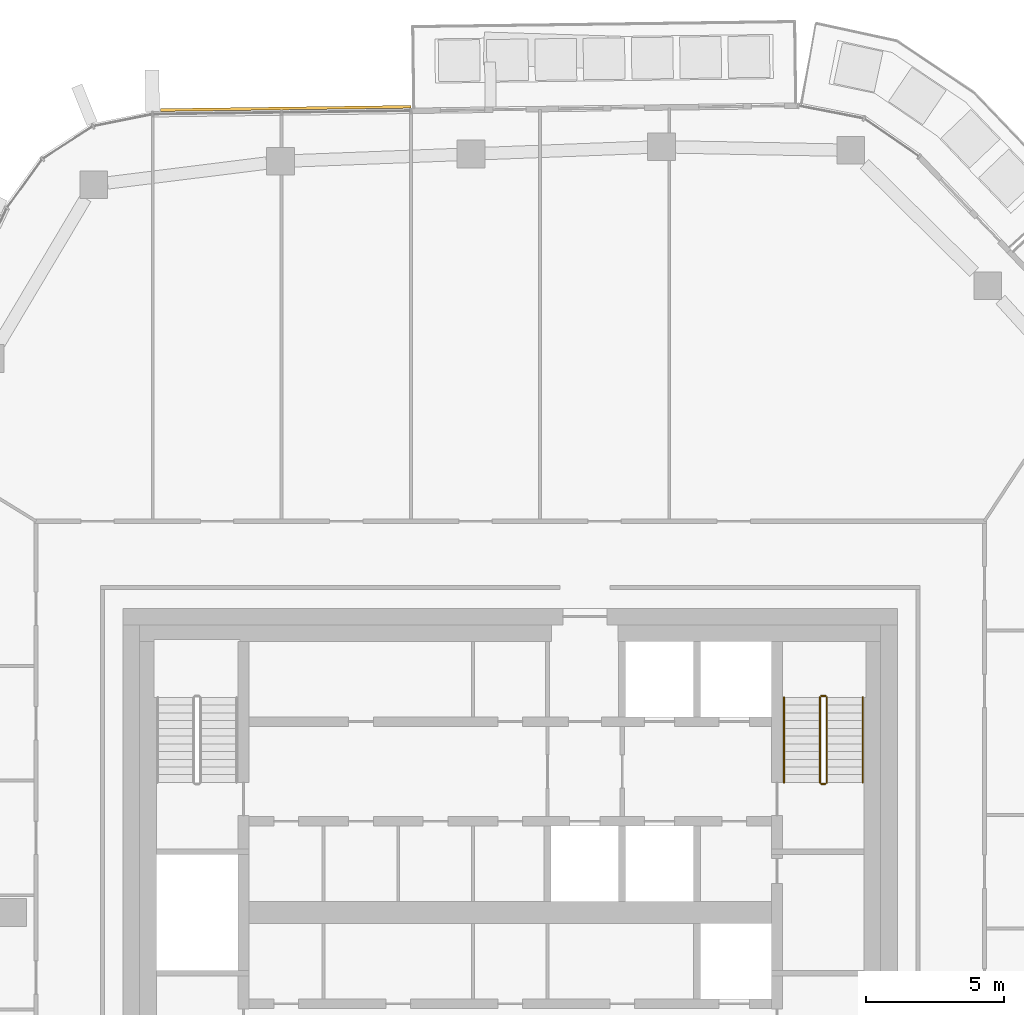
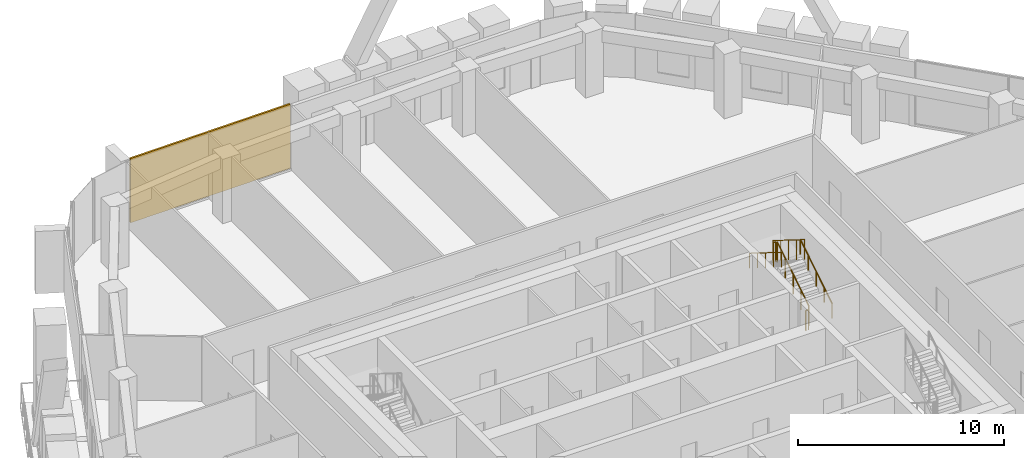
# One storey, part 22 of 23: 6 railings, 1 covering, 1 element without a shape of its own.
"""IFC4 building model written with IfcOpenShell, lengths in metres."""

from ifc_helpers import new_model, si_unit, direction, frame, origin, origin_2d, place, context, subcontext, project, spatial, rectangle, circle, extrude, material, layer, layer_set, type_object, element, aggregate, save


model = new_model("IFC4")

# Units and contexts
model_context = context("Model", 3, precision=1e-05, world=origin(), true_north=direction((0.0, 1.0)))
body_context = subcontext(model_context, "Body", "Model", "MODEL_VIEW")
ifc_project = project(units=[si_unit("LENGTHUNIT", "METRE"), si_unit("AREAUNIT", "SQUARE_METRE"), si_unit("VOLUMEUNIT", "CUBIC_METRE"), si_unit("PLANEANGLEUNIT", "RADIAN"), si_unit("MASSUNIT", "GRAM", prefix="KILO")], contexts=[model_context])

# Site, building, storey
site_placement = place(None, origin())
site = spatial("IfcSite", under=ifc_project, at=site_placement, CompositionType="ELEMENT")
building_placement = place(site_placement, origin())
building = spatial("IfcBuilding", under=site, at=building_placement, Name="Dongbaek Canopy Tower", CompositionType="ELEMENT")
storey_placement = place(building_placement, frame((0.0, 0.0, 340.39990234375)))
storey = spatial("IfcBuildingStorey", under=building, at=storey_placement, Name="L73", CompositionType="ELEMENT", Elevation=340.39990234375)

# Curtain wall, covering
ifc_material_1 = material(Name="Aluminium 6063-T6 pale anodised", Category="aluminium")
ifc_layer_1 = layer(ifc_material_1, 0.199951171875)
ifc_layer_set_1 = layer_set([ifc_layer_1], Name="CW-1 unitised tower curtain wall")
curtain_wall_type = type_object("IfcCurtainWallType", Name="CW-1 unitised tower curtain wall", PredefinedType="NOTDEFINED", material=ifc_layer_set_1)
curtain_wall_placement = place(storey_placement, origin())
curtain_wall = element("IfcCurtainWall", 1, at=curtain_wall_placement, inside=storey, type_object=curtain_wall_type, Name="CW-1 curtain wall F1.1", PredefinedType="NOTDEFINED")
ifc_material_2 = material(Name="Perforated aluminium 6063-T6 pale metal screen", Category="aluminium")
ifc_layer_2 = layer(ifc_material_2, 0.10009765625)
ifc_layer_set_2 = layer_set([ifc_layer_2], Name="Facet screen FS1 100 pale metal")
covering_type = type_object("IfcCoveringType", Name="Facet screen FS1 100 pale metal", PredefinedType="CLADDING", material=ifc_layer_set_2)
covering_placement = place(storey_placement, frame((-8.119873046875, 29.078369140625, 0.0), z_axis=(0.0, 0.0, 1.0), x_axis=(-0.999913342395, -0.013164638263, 0.0)))
covering = element("IfcCovering", 2, at=covering_placement, type_object=covering_type, Name="Facet screen L73 F1", PredefinedType="CLADDING", context=body_context, shape_type="SweptSolid", body=[
    extrude(rectangle(XDim=9.0498046875, YDim=0.10009765625, at=origin_2d()), origin(), (0.0, 0.0, 1.0), 3.820068359375),
])
aggregate(curtain_wall, [covering])

# Railings
ifc_material_3 = material(Name="Stainless steel tube and balusters", Category="steel")
railing_type_1 = type_object("IfcRailingType", Name="Stair guard 1200", PredefinedType="GUARDRAIL", material=ifc_material_3)
railing_1_placement = place(storey_placement, frame((11.449951171875, 4.699951171875, 0.175048828125)))
element("IfcRailing", 3, at=railing_1_placement, inside=storey, type_object=railing_type_1, Name="L73 ST-A stair guard 1", PredefinedType="GUARDRAIL", context=body_context, shape_type="SweptSolid", body=[
    extrude(circle(Radius=0.02392578125, at=origin_2d()), frame((0.0, 0.0, 1.17578125), z_axis=(0.0, 0.847998304005, 0.529998940003), x_axis=(-1.0, 0.0, 0.0)), (0.0, 0.0, 1.0), 3.632080078125),
    extrude(circle(Radius=0.02099609375, at=origin_2d()), origin(), (0.0, 0.0, 1.0), 1.15185546875),
    extrude(circle(Radius=0.02099609375, at=origin_2d()), frame((0.0, 0.77001953125, 0.481201171875)), (0.0, 0.0, 1.0), 1.15185546875),
    extrude(circle(Radius=0.02099609375, at=origin_2d()), frame((0.0, 1.5400390625, 0.96240234375)), (0.0, 0.0, 1.0), 1.15185546875),
    extrude(circle(Radius=0.02099609375, at=origin_2d()), frame((0.0, 2.31005859375, 1.44384765625)), (0.0, 0.0, 1.0), 1.15185546875),
    extrude(circle(Radius=0.02099609375, at=origin_2d()), frame((0.0, 3.080078125, 1.925048828125)), (0.0, 0.0, 1.0), 1.15185546875),
])
railing_2_placement = place(storey_placement, frame((11.39990234375, 7.830078125, 2.10009765625)))
element("IfcRailing", 4, at=railing_2_placement, inside=storey, type_object=railing_type_1, Name="L73 ST-A stair guard 2", PredefinedType="GUARDRAIL", context=body_context, shape_type="SweptSolid", body=[
    extrude(circle(Radius=0.02392578125, at=origin_2d()), frame((0.0, 0.0, 1.17578125), z_axis=(-1.0, 0.0, 0.0), x_axis=(0.0, -1.0, 0.0)), (0.0, 0.0, 1.0), 0.14990234375),
    extrude(circle(Radius=0.02099609375, at=origin_2d()), origin(), (0.0, 0.0, 1.0), 1.15185546875),
    extrude(circle(Radius=0.02099609375, at=origin_2d()), frame((-0.14990234375, 0.0, 0.0)), (0.0, 0.0, 1.0), 1.15185546875),
])
railing_3_placement = place(storey_placement, frame((11.199951171875, 7.780029296875, 2.275146484375)))
element("IfcRailing", 5, at=railing_3_placement, inside=storey, type_object=railing_type_1, Name="L73 ST-A stair guard 3", PredefinedType="GUARDRAIL", context=body_context, shape_type="SweptSolid", body=[
    extrude(circle(Radius=0.02392578125, at=origin_2d()), frame((0.0, 0.0, 1.17578125), z_axis=(0.0, -0.847998304005, 0.529998940003), x_axis=(1.0, 0.0, 0.0)), (0.0, 0.0, 1.0), 3.632080078125),
    extrude(circle(Radius=0.02099609375, at=origin_2d()), origin(), (0.0, 0.0, 1.0), 1.15185546875),
    extrude(circle(Radius=0.02099609375, at=origin_2d()), frame((0.0, -0.77001953125, 0.481201171875)), (0.0, 0.0, 1.0), 1.15185546875),
    extrude(circle(Radius=0.02099609375, at=origin_2d()), frame((0.0, -1.5400390625, 0.96240234375)), (0.0, 0.0, 1.0), 1.15185546875),
    extrude(circle(Radius=0.02099609375, at=origin_2d()), frame((0.0, -2.31005859375, 1.44384765625)), (0.0, 0.0, 1.0), 1.15185546875),
    extrude(circle(Radius=0.02099609375, at=origin_2d()), frame((0.0, -3.080078125, 1.925048828125)), (0.0, 0.0, 1.0), 1.15185546875),
])
railing_4_placement = place(storey_placement, frame((11.39990234375, 4.64990234375, 0.0)))
element("IfcRailing", 6, at=railing_4_placement, inside=storey, type_object=railing_type_1, Name="L73 ST-A stair guard 4", PredefinedType="GUARDRAIL", context=body_context, shape_type="SweptSolid", body=[
    extrude(circle(Radius=0.02392578125, at=origin_2d()), frame((0.0, 0.0, 1.17578125), z_axis=(-1.0, 0.0, 0.0), x_axis=(0.0, -1.0, 0.0)), (0.0, 0.0, 1.0), 0.14990234375),
    extrude(circle(Radius=0.02099609375, at=origin_2d()), origin(), (0.0, 0.0, 1.0), 1.15185546875),
    extrude(circle(Radius=0.02099609375, at=origin_2d()), frame((-0.14990234375, 0.0, 0.0)), (0.0, 0.0, 1.0), 1.15185546875),
])
ifc_material_4 = material(Name="Stainless steel tube", Category="steel")
railing_type_2 = type_object("IfcRailingType", Name="Stair handrail 900", PredefinedType="HANDRAIL", material=ifc_material_4)
railing_5_placement = place(storey_placement, frame((12.75, 4.699951171875, 0.175048828125)))
element("IfcRailing", 7, at=railing_5_placement, inside=storey, type_object=railing_type_2, Name="L73 ST-A stair handrail 1", PredefinedType="HANDRAIL", context=body_context, shape_type="SweptSolid", body=[
    extrude(circle(Radius=0.02392578125, at=origin_2d()), frame((0.0, 0.0, 0.8759765625), z_axis=(0.0, 0.847998304005, 0.529998940003), x_axis=(-1.0, 0.0, 0.0)), (0.0, 0.0, 1.0), 3.632080078125),
    extrude(circle(Radius=0.02099609375, at=origin_2d()), origin(), (0.0, 0.0, 1.0), 0.851806640625),
    extrude(circle(Radius=0.02099609375, at=origin_2d()), frame((0.0, 0.77001953125, 0.481201171875)), (0.0, 0.0, 1.0), 0.851806640625),
    extrude(circle(Radius=0.02099609375, at=origin_2d()), frame((0.0, 1.5400390625, 0.96240234375)), (0.0, 0.0, 1.0), 0.851806640625),
    extrude(circle(Radius=0.02099609375, at=origin_2d()), frame((0.0, 2.31005859375, 1.44384765625)), (0.0, 0.0, 1.0), 0.851806640625),
    extrude(circle(Radius=0.02099609375, at=origin_2d()), frame((0.0, 3.080078125, 1.925048828125)), (0.0, 0.0, 1.0), 0.851806640625),
])
railing_6_placement = place(storey_placement, frame((9.89990234375, 7.780029296875, 2.275146484375)))
element("IfcRailing", 8, at=railing_6_placement, inside=storey, type_object=railing_type_2, Name="L73 ST-A stair handrail 2", PredefinedType="HANDRAIL", context=body_context, shape_type="SweptSolid", body=[
    extrude(circle(Radius=0.02392578125, at=origin_2d()), frame((0.0, 0.0, 0.8759765625), z_axis=(0.0, -0.847998304005, 0.529998940003), x_axis=(1.0, 0.0, 0.0)), (0.0, 0.0, 1.0), 3.632080078125),
    extrude(circle(Radius=0.02099609375, at=origin_2d()), origin(), (0.0, 0.0, 1.0), 0.851806640625),
    extrude(circle(Radius=0.02099609375, at=origin_2d()), frame((0.0, -0.77001953125, 0.481201171875)), (0.0, 0.0, 1.0), 0.851806640625),
    extrude(circle(Radius=0.02099609375, at=origin_2d()), frame((0.0, -1.5400390625, 0.96240234375)), (0.0, 0.0, 1.0), 0.851806640625),
    extrude(circle(Radius=0.02099609375, at=origin_2d()), frame((0.0, -2.31005859375, 1.44384765625)), (0.0, 0.0, 1.0), 0.851806640625),
    extrude(circle(Radius=0.02099609375, at=origin_2d()), frame((0.0, -3.080078125, 1.925048828125)), (0.0, 0.0, 1.0), 0.851806640625),
])

save(model, "model.ifc")
